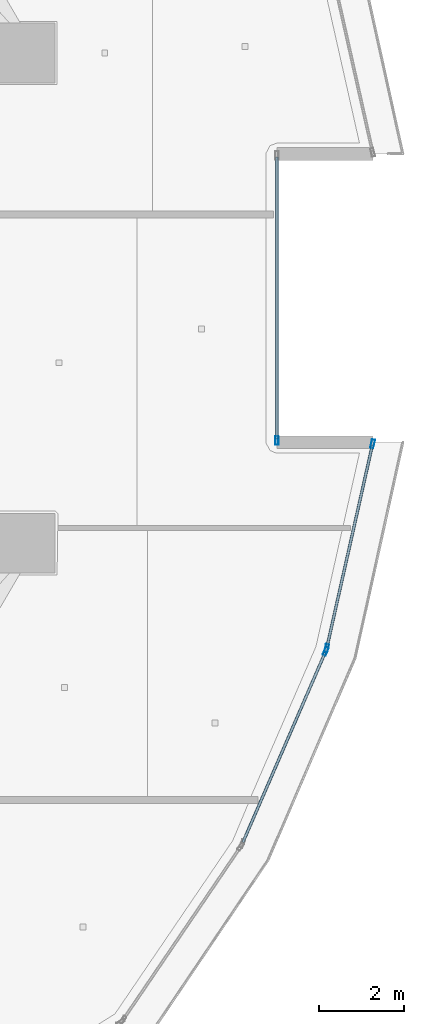
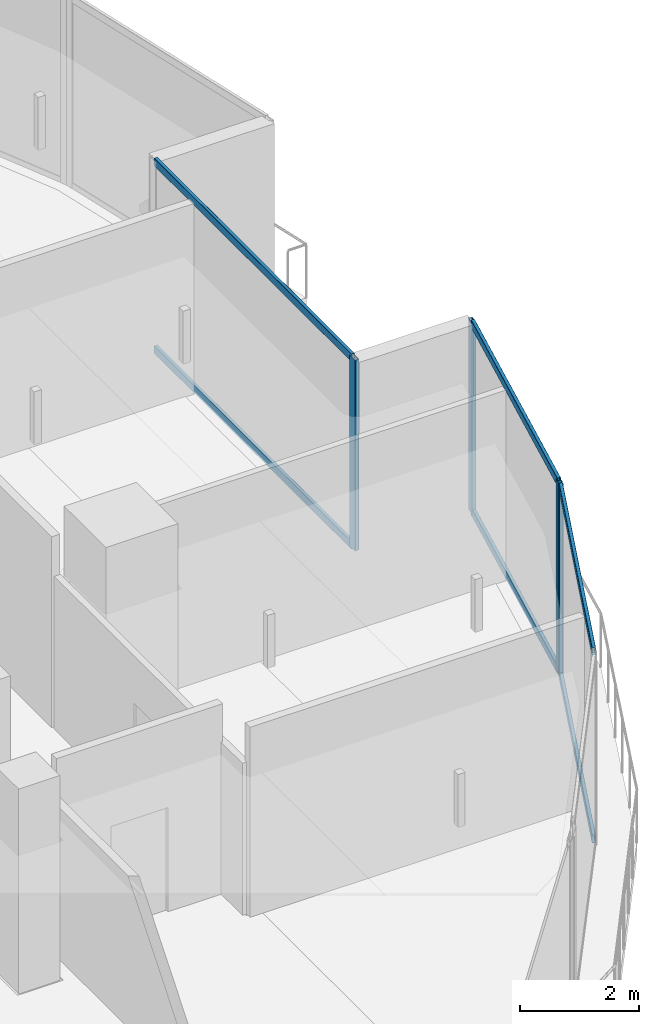
# One storey, part 9 of 25: 10 members, 3 elements without a shape of their own.
"""IFC4 building model written with IfcOpenShell, lengths in metres."""

from ifc_helpers import new_model, si_unit, direction, frame, origin, origin_2d, place, context, subcontext, project, spatial, hollow_rectangle, extrude, material, layer, layer_set, material_profile, profile_set, type_object, element, aggregate, save


model = new_model("IFC4")

# Units and contexts
model_context = context("Model", 3, precision=1e-05, world=origin(), true_north=direction((0.0, 1.0)))
body_context = subcontext(model_context, "Body", "Model", "MODEL_VIEW")
ifc_project = project(units=[si_unit("LENGTHUNIT", "METRE"), si_unit("AREAUNIT", "SQUARE_METRE"), si_unit("VOLUMEUNIT", "CUBIC_METRE"), si_unit("PLANEANGLEUNIT", "RADIAN"), si_unit("MASSUNIT", "GRAM", prefix="KILO")], contexts=[model_context])

# Site, building, storey
site_placement = place(None, origin())
site = spatial("IfcSite", under=ifc_project, at=site_placement, CompositionType="ELEMENT")
building_placement = place(site_placement, origin())
building = spatial("IfcBuilding", under=site, at=building_placement, Name="Qorvath Tower", CompositionType="ELEMENT")
storey_placement = place(building_placement, frame((0.0, 0.0, 306.0)))
storey = spatial("IfcBuildingStorey", under=building, at=storey_placement, Name="L71", CompositionType="ELEMENT", Elevation=306.0)

# Curtain wall, member
ifc_material_1 = material(Name="Anodised aluminium and triple low-E glass", Category="aluminium")
ifc_layer = layer(ifc_material_1, 0.179931640625)
ifc_layer_set = layer_set([ifc_layer], Name="CW-SYS-4")
curtain_wall_type = type_object("IfcCurtainWallType", Name="CW-SYS-4", PredefinedType="NOTDEFINED", material=ifc_layer_set)
curtain_wall_1_placement = place(storey_placement, origin())
curtain_wall_1 = element("IfcCurtainWall", 1, at=curtain_wall_1_placement, inside=storey, type_object=curtain_wall_type, Name="Curtain Wall CW-4 CW-T-L71-6.1", PredefinedType="NOTDEFINED")
ifc_material_2 = material(Name="Anodised aluminium 6063-T6", Category="aluminium")
ifc_material_profile_1 = material_profile(ifc_material_2, hollow_rectangle(XDim=0.074951171875, YDim=0.199951171875, WallThickness=0.00390625, InnerFilletRadius=0.00390625, OuterFilletRadius=0.008056640625, at=origin_2d()), Name="CWM 200x75")
ifc_profile_set_1 = profile_set([ifc_material_profile_1], Name="Anodised aluminium 6063-T6")
member_type_1 = type_object("IfcMemberType", Name="CWM-200", PredefinedType="MULLION", material=ifc_profile_set_1)
member_1_placement = place(storey_placement, frame((-5.04296875, -8.300048828125, 0.0), z_axis=(0.0, 0.0, 1.0), x_axis=(-0.917512584773, 0.397706747219, 0.0)))
member_1 = element("IfcMember", 2, at=member_1_placement, type_object=member_type_1, Name="CW-4 mullion 2", PredefinedType="MULLION", context=body_context, shape_type="SweptSolid", body=[
    extrude(hollow_rectangle(XDim=0.074951171875, YDim=0.199951171875, WallThickness=0.00390625, InnerFilletRadius=0.00390625, OuterFilletRadius=0.008056640625, at=origin_2d()), origin(), (0.0, 0.0, 1.0), 3.909912109375),
])

# Curtain wall, members
curtain_wall_2_placement = place(storey_placement, origin())
curtain_wall_2 = element("IfcCurtainWall", 3, at=curtain_wall_2_placement, inside=storey, type_object=curtain_wall_type, Name="Curtain Wall CW-4 CW-T-L71-7.1", PredefinedType="NOTDEFINED")
member_2_placement = place(storey_placement, frame((-5.019775390625, -8.22900390625, 0.0), z_axis=(0.0, 0.0, 1.0), x_axis=(-0.975634476429, 0.21940229808, 0.0)))
member_2 = element("IfcMember", 4, at=member_2_placement, type_object=member_type_1, Name="CW-4 mullion 1", PredefinedType="MULLION", context=body_context, shape_type="SweptSolid", body=[
    extrude(hollow_rectangle(XDim=0.074951171875, YDim=0.199951171875, WallThickness=0.00390625, InnerFilletRadius=0.00390625, OuterFilletRadius=0.008056640625, at=origin_2d()), origin(), (0.0, 0.0, 1.0), 3.909912109375),
])
member_3_placement = place(storey_placement, frame((-3.93896484375, -3.42236328125, 0.0), z_axis=(0.0, 0.0, 1.0), x_axis=(-0.975634476429, 0.21940229808, 0.0)))
member_3 = element("IfcMember", 5, at=member_3_placement, type_object=member_type_1, Name="CW-4 mullion 2", PredefinedType="MULLION", context=body_context, shape_type="SweptSolid", body=[
    extrude(hollow_rectangle(XDim=0.074951171875, YDim=0.199951171875, WallThickness=0.00390625, InnerFilletRadius=0.00390625, OuterFilletRadius=0.008056640625, at=origin_2d()), origin(), (0.0, 0.0, 1.0), 3.909912109375),
])

# Curtain wall, member
curtain_wall_3_placement = place(storey_placement, origin())
curtain_wall_3 = element("IfcCurtainWall", 6, at=curtain_wall_3_placement, inside=storey, type_object=curtain_wall_type, Name="Curtain Wall CW-4 CW-T-L71-9.1", PredefinedType="NOTDEFINED")
member_4_placement = place(storey_placement, frame((-6.18798828125, -3.34814453125, 0.0), z_axis=(0.0, 0.0, 1.0), x_axis=(-1.0, 0.0, 0.0)))
member_4 = element("IfcMember", 7, at=member_4_placement, type_object=member_type_1, Name="CW-4 mullion 1", PredefinedType="MULLION", context=body_context, shape_type="SweptSolid", body=[
    extrude(hollow_rectangle(XDim=0.074951171875, YDim=0.199951171875, WallThickness=0.00390625, InnerFilletRadius=0.00390625, OuterFilletRadius=0.008056640625, at=origin_2d()), origin(), (0.0, 0.0, 1.0), 3.909912109375),
])

# Member
ifc_material_3 = material(Name="Anodised aluminium 6063-T6", Category="aluminium")
ifc_material_profile_2 = material_profile(ifc_material_3, hollow_rectangle(XDim=0.06494140625, YDim=0.159912109375, WallThickness=0.00341796875, InnerFilletRadius=0.00341796875, OuterFilletRadius=0.007080078125, at=origin_2d()), Name="CWT 160x65")
ifc_profile_set_2 = profile_set([ifc_material_profile_2], Name="Anodised aluminium 6063-T6")
member_type_2 = type_object("IfcMemberType", Name="CWT-160", PredefinedType="USERDEFINED", material=ifc_profile_set_2)
member_5_placement = place(storey_placement, frame((-6.987548828125, -12.785888671875, 0.032470703125), z_axis=(0.397735942529, 0.917499929167, 0.0), x_axis=(-0.917499929167, 0.397735942529, 0.0)))
member_5 = element("IfcMember", 8, at=member_5_placement, type_object=member_type_2, Name="CW-4 transom 1.1", ObjectType="TRANSOM", PredefinedType="USERDEFINED", context=body_context, shape_type="SweptSolid", body=[
    extrude(hollow_rectangle(XDim=0.06494140625, YDim=0.159912109375, WallThickness=0.00341796875, InnerFilletRadius=0.00341796875, OuterFilletRadius=0.007080078125, at=origin_2d()), origin(), (0.0, 0.0, 1.0), 4.8515625),
])

member_6_placement = place(storey_placement, frame((-6.987548828125, -12.785888671875, 3.87744140625), z_axis=(0.397735942529, 0.917499929167, 0.0), x_axis=(-0.917499929167, 0.397735942529, 0.0)))
member_6 = element("IfcMember", 9, at=member_6_placement, type_object=member_type_2, Name="CW-4 transom 1.2", ObjectType="TRANSOM", PredefinedType="USERDEFINED", context=body_context, shape_type="SweptSolid", body=[
    extrude(hollow_rectangle(XDim=0.06494140625, YDim=0.159912109375, WallThickness=0.00341796875, InnerFilletRadius=0.00341796875, OuterFilletRadius=0.007080078125, at=origin_2d()), origin(), (0.0, 0.0, 1.0), 4.8515625),
])

aggregate(curtain_wall_1, [member_1, member_5, member_6])

member_7_placement = place(storey_placement, frame((-5.01171875, -8.1923828125, 0.032470703125), z_axis=(0.219402031102, 0.975634536468, 0.0), x_axis=(-0.975634536468, 0.219402031102, 0.0)))
member_7 = element("IfcMember", 10, at=member_7_placement, type_object=member_type_2, Name="CW-4 transom 1.1", ObjectType="TRANSOM", PredefinedType="USERDEFINED", context=body_context, shape_type="SweptSolid", body=[
    extrude(hollow_rectangle(XDim=0.06494140625, YDim=0.159912109375, WallThickness=0.00341796875, InnerFilletRadius=0.00341796875, OuterFilletRadius=0.007080078125, at=origin_2d()), origin(), (0.0, 0.0, 1.0), 4.8515625),
])

member_8_placement = place(storey_placement, frame((-5.01171875, -8.1923828125, 3.87744140625), z_axis=(0.219402031102, 0.975634536468, 0.0), x_axis=(-0.975634536468, 0.219402031102, 0.0)))
member_8 = element("IfcMember", 11, at=member_8_placement, type_object=member_type_2, Name="CW-4 transom 1.2", ObjectType="TRANSOM", PredefinedType="USERDEFINED", context=body_context, shape_type="SweptSolid", body=[
    extrude(hollow_rectangle(XDim=0.06494140625, YDim=0.159912109375, WallThickness=0.00341796875, InnerFilletRadius=0.00341796875, OuterFilletRadius=0.007080078125, at=origin_2d()), origin(), (0.0, 0.0, 1.0), 4.8515625),
])

aggregate(curtain_wall_2, [member_2, member_3, member_7, member_8])

member_9_placement = place(storey_placement, frame((-6.18798828125, -3.310791015625, 0.032470703125), z_axis=(0.0, 1.0, 0.0), x_axis=(-1.0, 0.0, 0.0)))
member_9 = element("IfcMember", 12, at=member_9_placement, type_object=member_type_2, Name="CW-4 transom 1.1", ObjectType="TRANSOM", PredefinedType="USERDEFINED", context=body_context, shape_type="SweptSolid", body=[
    extrude(hollow_rectangle(XDim=0.06494140625, YDim=0.159912109375, WallThickness=0.00341796875, InnerFilletRadius=0.00341796875, OuterFilletRadius=0.007080078125, at=origin_2d()), origin(), (0.0, 0.0, 1.0), 6.62158203125),
])

member_10_placement = place(storey_placement, frame((-6.18798828125, -3.310791015625, 3.87744140625), z_axis=(0.0, 1.0, 0.0), x_axis=(-1.0, 0.0, 0.0)))
member_10 = element("IfcMember", 13, at=member_10_placement, type_object=member_type_2, Name="CW-4 transom 1.2", ObjectType="TRANSOM", PredefinedType="USERDEFINED", context=body_context, shape_type="SweptSolid", body=[
    extrude(hollow_rectangle(XDim=0.06494140625, YDim=0.159912109375, WallThickness=0.00341796875, InnerFilletRadius=0.00341796875, OuterFilletRadius=0.007080078125, at=origin_2d()), origin(), (0.0, 0.0, 1.0), 6.62158203125),
])

aggregate(curtain_wall_3, [member_4, member_9, member_10])

save(model, "model.ifc")
